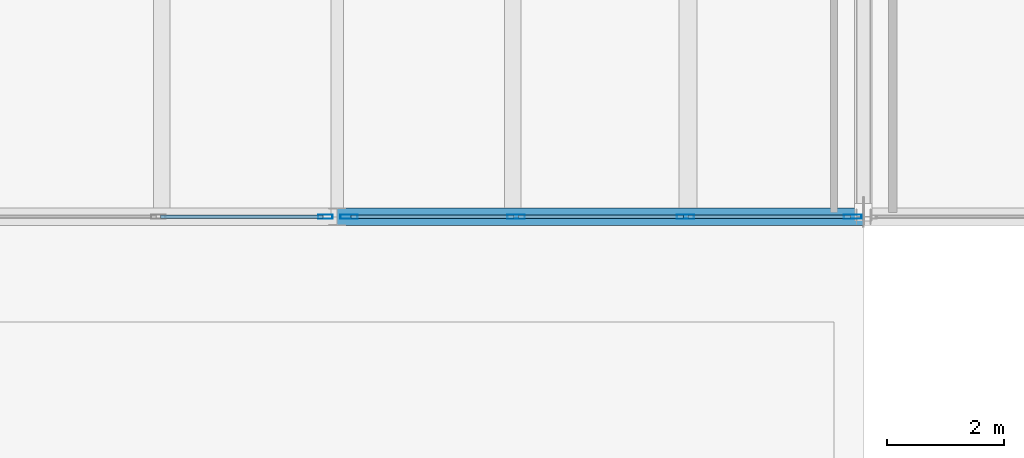
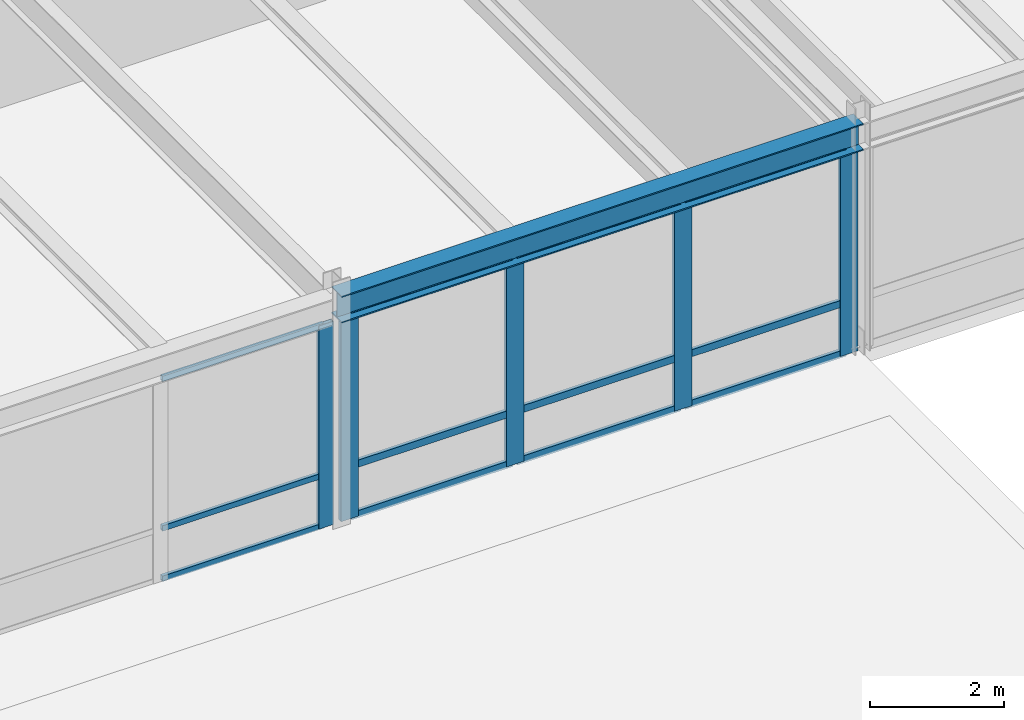
# One storey, part 78 of 142: 17 members, 1 beam, 2 elements without a shape of their own.
"""IFC4 building model written with IfcOpenShell, lengths in metres."""

from ifc_helpers import new_model, si_unit, direction, frame, origin, origin_2d, place, context, subcontext, project, spatial, hollow_rectangle, i_section, extrude, material, layer, layer_set, material_profile, profile_set, type_object, element, aggregate, save


model = new_model("IFC4")

# Units and contexts
model_context = context("Model", 3, precision=1e-05, world=origin(), true_north=direction((0.0, 1.0)))
body_context = subcontext(model_context, "Body", "Model", "MODEL_VIEW")
ifc_project = project(units=[si_unit("LENGTHUNIT", "METRE"), si_unit("AREAUNIT", "SQUARE_METRE"), si_unit("VOLUMEUNIT", "CUBIC_METRE"), si_unit("PLANEANGLEUNIT", "RADIAN"), si_unit("MASSUNIT", "GRAM", prefix="KILO")], contexts=[model_context])

# Site, building, storey
site_placement = place(None, origin())
site = spatial("IfcSite", under=ifc_project, at=site_placement, CompositionType="ELEMENT")
building_placement = place(site_placement, origin())
building = spatial("IfcBuilding", under=site, at=building_placement, Name="Montelvaro Courts of Justice", CompositionType="ELEMENT")
storey_placement = place(building_placement, frame((0.0, 0.0, 14.39990234375)))
storey = spatial("IfcBuildingStorey", under=building, at=storey_placement, Name="L03", CompositionType="ELEMENT", Elevation=14.39990234375)

# Beam
ifc_material_1 = material(Name="Steel S355", Category="steel")
ifc_material_profile_1 = material_profile(ifc_material_1, i_section(OverallWidth=0.300048828125, OverallDepth=0.489990234375, WebThickness=0.011962890625, FlangeThickness=0.02294921875, at=origin_2d()), Name="HEA 500")
ifc_profile_set_1 = profile_set([ifc_material_profile_1], Name="Steel S355")
beam_type = type_object("IfcBeamType", Name="Beam_HEA500", PredefinedType="USERDEFINED", material=ifc_profile_set_1)
beam_placement = place(storey_placement, frame((117.0, 66.0, 3.955078125), z_axis=(1.0, 0.0, 0.0), x_axis=(0.0, 1.0, 0.0)))
element("IfcBeam", 1, at=beam_placement, inside=storey, type_object=beam_type, Name="Beam B-19 L03", ObjectType="GIRDER", PredefinedType="USERDEFINED", context=body_context, shape_type="SweptSolid", body=[
    extrude(i_section(OverallWidth=0.300048828125, OverallDepth=0.489990234375, WebThickness=0.011962890625, FlangeThickness=0.02294921875, at=origin_2d()), origin(), (0.0, 0.0, 1.0), 9.0),
])

# Curtain wall, member
ifc_material_2 = material(Name="Anodised aluminium EN AW-6063", Category="aluminium")
ifc_layer = layer(ifc_material_2, 0.159912109375)
ifc_layer_set = layer_set([ifc_layer], Name="Anodised aluminium EN AW-6063")
curtain_wall_type = type_object("IfcCurtainWallType", Name="CurtainWall_18_868x418", PredefinedType="USERDEFINED", material=ifc_layer_set)
curtain_wall_1_placement = place(storey_placement, origin())
curtain_wall_1 = element("IfcCurtainWall", 2, at=curtain_wall_1_placement, inside=storey, type_object=curtain_wall_type, Name="Curtain Wall CW-18 (L03)", ObjectType="CURTAIN WALL", PredefinedType="USERDEFINED")
ifc_material_profile_2 = material_profile(ifc_material_2, hollow_rectangle(XDim=0.074951171875, YDim=0.25, WallThickness=0.005615234375, at=origin_2d()), Name="ALU-M 75x250")
ifc_profile_set_2 = profile_set([ifc_material_profile_2], Name="Anodised aluminium EN AW-6063")
member_type_1 = type_object("IfcMemberType", Name="CurtainWall_Mullion_75x250", PredefinedType="MULLION", material=ifc_profile_set_2)
member_1_placement = place(storey_placement, frame((116.797607421875, 66.0, 0.0), z_axis=(0.0, 0.0, 1.0), x_axis=(0.0, 1.0, 0.0)))
member_1 = element("IfcMember", 3, at=member_1_placement, type_object=member_type_1, Name="CW-18 mullion 4", PredefinedType="MULLION", context=body_context, shape_type="SweptSolid", body=[
    extrude(hollow_rectangle(XDim=0.074951171875, YDim=0.25, WallThickness=0.005615234375, at=origin_2d()), origin(), (0.0, 0.0, 1.0), 3.705078125),
])

# Curtain wall, members
curtain_wall_2_placement = place(storey_placement, origin())
curtain_wall_2 = element("IfcCurtainWall", 4, at=curtain_wall_2_placement, inside=storey, type_object=curtain_wall_type, Name="Curtain Wall CW-18 (L03)", ObjectType="CURTAIN WALL", PredefinedType="USERDEFINED")
ifc_material_profile_3 = material_profile(ifc_material_2, hollow_rectangle(XDim=0.074951171875, YDim=0.300048828125, WallThickness=0.006103515625, at=origin_2d()), Name="ALU-M 75x300")
ifc_profile_set_3 = profile_set([ifc_material_profile_3], Name="Anodised aluminium EN AW-6063")
member_type_2 = type_object("IfcMemberType", Name="CurtainWall_Mullion_75x300", PredefinedType="MULLION", material=ifc_profile_set_3)
member_2_placement = place(storey_placement, frame((117.202392578125, 66.0, 0.0), z_axis=(0.0, 0.0, 1.0), x_axis=(0.0, 1.0, 0.0)))
member_2 = element("IfcMember", 5, at=member_2_placement, type_object=member_type_2, Name="CW-18 mullion 1", PredefinedType="MULLION", context=body_context, shape_type="SweptSolid", body=[
    extrude(hollow_rectangle(XDim=0.074951171875, YDim=0.300048828125, WallThickness=0.006103515625, at=origin_2d()), origin(), (0.0, 0.0, 1.0), 3.705078125),
])
member_3_placement = place(storey_placement, frame((120.061767578125, 66.0, 0.0), z_axis=(0.0, 0.0, 1.0), x_axis=(0.0, 1.0, 0.0)))
member_3 = element("IfcMember", 6, at=member_3_placement, type_object=member_type_2, Name="CW-18 mullion 2", PredefinedType="MULLION", context=body_context, shape_type="SweptSolid", body=[
    extrude(hollow_rectangle(XDim=0.074951171875, YDim=0.300048828125, WallThickness=0.006103515625, at=origin_2d()), origin(), (0.0, 0.0, 1.0), 3.705078125),
])
member_4_placement = place(storey_placement, frame((122.958251953125, 66.0, 0.0), z_axis=(0.0, 0.0, 1.0), x_axis=(0.0, 1.0, 0.0)))
member_4 = element("IfcMember", 7, at=member_4_placement, type_object=member_type_2, Name="CW-18 mullion 3", PredefinedType="MULLION", context=body_context, shape_type="SweptSolid", body=[
    extrude(hollow_rectangle(XDim=0.074951171875, YDim=0.300048828125, WallThickness=0.006103515625, at=origin_2d()), origin(), (0.0, 0.0, 1.0), 3.705078125),
])
member_5_placement = place(storey_placement, frame((125.8173828125, 66.0, 0.0), z_axis=(0.0, 0.0, 1.0), x_axis=(0.0, 1.0, 0.0)))
member_5 = element("IfcMember", 8, at=member_5_placement, type_object=member_type_2, Name="CW-18 mullion 4", PredefinedType="MULLION", context=body_context, shape_type="SweptSolid", body=[
    extrude(hollow_rectangle(XDim=0.074951171875, YDim=0.300048828125, WallThickness=0.006103515625, at=origin_2d()), origin(), (0.0, 0.0, 1.0), 3.705078125),
])

# Member
ifc_material_profile_4 = material_profile(ifc_material_2, hollow_rectangle(XDim=0.06005859375, YDim=0.10009765625, WallThickness=0.00341796875, at=origin_2d()), Name="ALU-T 60x100")
ifc_profile_set_4 = profile_set([ifc_material_profile_4], Name="Anodised aluminium EN AW-6063")
member_type_3 = type_object("IfcMemberType", Name="CurtainWall_Transom_60x100", PredefinedType="USERDEFINED", material=ifc_profile_set_4)
member_6_placement = place(storey_placement, frame((113.979248046875, 66.0, 0.030029296875), z_axis=(1.0, 0.0, 0.0), x_axis=(0.0, 1.0, 0.0)))
member_6 = element("IfcMember", 9, at=member_6_placement, type_object=member_type_3, Name="CW-18 transom 3.1", ObjectType="TRANSOM", PredefinedType="USERDEFINED", context=body_context, shape_type="SweptSolid", body=[
    extrude(hollow_rectangle(XDim=0.06005859375, YDim=0.10009765625, WallThickness=0.00341796875, at=origin_2d()), origin(), (0.0, 0.0, 1.0), 2.78076171875),
])

member_7_placement = place(storey_placement, frame((113.979248046875, 66.0, 0.9501953125), z_axis=(1.0, 0.0, 0.0), x_axis=(0.0, 1.0, 0.0)))
member_7 = element("IfcMember", 10, at=member_7_placement, type_object=member_type_3, Name="CW-18 transom 3.2", ObjectType="TRANSOM", PredefinedType="USERDEFINED", context=body_context, shape_type="SweptSolid", body=[
    extrude(hollow_rectangle(XDim=0.06005859375, YDim=0.10009765625, WallThickness=0.00341796875, at=origin_2d()), origin(), (0.0, 0.0, 1.0), 2.78076171875),
])

member_8_placement = place(storey_placement, frame((113.979248046875, 66.0, 3.675048828125), z_axis=(1.0, 0.0, 0.0), x_axis=(0.0, 1.0, 0.0)))
member_8 = element("IfcMember", 11, at=member_8_placement, type_object=member_type_3, Name="CW-18 transom 3.3", ObjectType="TRANSOM", PredefinedType="USERDEFINED", context=body_context, shape_type="SweptSolid", body=[
    extrude(hollow_rectangle(XDim=0.06005859375, YDim=0.10009765625, WallThickness=0.00341796875, at=origin_2d()), origin(), (0.0, 0.0, 1.0), 2.78076171875),
])

aggregate(curtain_wall_1, [member_1, member_6, member_7, member_8])

ifc_material_profile_5 = material_profile(ifc_material_2, hollow_rectangle(XDim=0.06005859375, YDim=0.1298828125, WallThickness=0.00390625, at=origin_2d()), Name="ALU-T 60x130")
ifc_profile_set_5 = profile_set([ifc_material_profile_5], Name="Anodised aluminium EN AW-6063")
member_type_4 = type_object("IfcMemberType", Name="CurtainWall_Transom_60x130", PredefinedType="USERDEFINED", material=ifc_profile_set_5)
member_9_placement = place(storey_placement, frame((117.239990234375, 66.0, 0.030029296875), z_axis=(1.0, 0.0, 0.0), x_axis=(0.0, 1.0, 0.0)))
member_9 = element("IfcMember", 12, at=member_9_placement, type_object=member_type_4, Name="CW-18 transom 1.1", ObjectType="TRANSOM", PredefinedType="USERDEFINED", context=body_context, shape_type="SweptSolid", body=[
    extrude(hollow_rectangle(XDim=0.06005859375, YDim=0.1298828125, WallThickness=0.00390625, at=origin_2d()), origin(), (0.0, 0.0, 1.0), 2.7841796875),
])

member_10_placement = place(storey_placement, frame((117.239990234375, 66.0, 0.9501953125), z_axis=(1.0, 0.0, 0.0), x_axis=(0.0, 1.0, 0.0)))
member_10 = element("IfcMember", 13, at=member_10_placement, type_object=member_type_4, Name="CW-18 transom 1.2", ObjectType="TRANSOM", PredefinedType="USERDEFINED", context=body_context, shape_type="SweptSolid", body=[
    extrude(hollow_rectangle(XDim=0.06005859375, YDim=0.1298828125, WallThickness=0.00390625, at=origin_2d()), origin(), (0.0, 0.0, 1.0), 2.7841796875),
])

member_11_placement = place(storey_placement, frame((117.239990234375, 66.0, 3.675048828125), z_axis=(1.0, 0.0, 0.0), x_axis=(0.0, 1.0, 0.0)))
member_11 = element("IfcMember", 14, at=member_11_placement, type_object=member_type_4, Name="CW-18 transom 1.3", ObjectType="TRANSOM", PredefinedType="USERDEFINED", context=body_context, shape_type="SweptSolid", body=[
    extrude(hollow_rectangle(XDim=0.06005859375, YDim=0.1298828125, WallThickness=0.00390625, at=origin_2d()), origin(), (0.0, 0.0, 1.0), 2.7841796875),
])

member_12_placement = place(storey_placement, frame((120.09912109375, 66.0, 0.030029296875), z_axis=(1.0, 0.0, 0.0), x_axis=(0.0, 1.0, 0.0)))
member_12 = element("IfcMember", 15, at=member_12_placement, type_object=member_type_4, Name="CW-18 transom 2.1", ObjectType="TRANSOM", PredefinedType="USERDEFINED", context=body_context, shape_type="SweptSolid", body=[
    extrude(hollow_rectangle(XDim=0.06005859375, YDim=0.1298828125, WallThickness=0.00390625, at=origin_2d()), origin(), (0.0, 0.0, 1.0), 2.82177734375),
])

member_13_placement = place(storey_placement, frame((120.09912109375, 66.0, 0.9501953125), z_axis=(1.0, 0.0, 0.0), x_axis=(0.0, 1.0, 0.0)))
member_13 = element("IfcMember", 16, at=member_13_placement, type_object=member_type_4, Name="CW-18 transom 2.2", ObjectType="TRANSOM", PredefinedType="USERDEFINED", context=body_context, shape_type="SweptSolid", body=[
    extrude(hollow_rectangle(XDim=0.06005859375, YDim=0.1298828125, WallThickness=0.00390625, at=origin_2d()), origin(), (0.0, 0.0, 1.0), 2.82177734375),
])

member_14_placement = place(storey_placement, frame((120.09912109375, 66.0, 3.675048828125), z_axis=(1.0, 0.0, 0.0), x_axis=(0.0, 1.0, 0.0)))
member_14 = element("IfcMember", 17, at=member_14_placement, type_object=member_type_4, Name="CW-18 transom 2.3", ObjectType="TRANSOM", PredefinedType="USERDEFINED", context=body_context, shape_type="SweptSolid", body=[
    extrude(hollow_rectangle(XDim=0.06005859375, YDim=0.1298828125, WallThickness=0.00390625, at=origin_2d()), origin(), (0.0, 0.0, 1.0), 2.82177734375),
])

member_15_placement = place(storey_placement, frame((122.995849609375, 66.0, 0.030029296875), z_axis=(1.0, 0.0, 0.0), x_axis=(0.0, 1.0, 0.0)))
member_15 = element("IfcMember", 18, at=member_15_placement, type_object=member_type_4, Name="CW-18 transom 3.1", ObjectType="TRANSOM", PredefinedType="USERDEFINED", context=body_context, shape_type="SweptSolid", body=[
    extrude(hollow_rectangle(XDim=0.06005859375, YDim=0.1298828125, WallThickness=0.00390625, at=origin_2d()), origin(), (0.0, 0.0, 1.0), 2.7841796875),
])

member_16_placement = place(storey_placement, frame((122.995849609375, 66.0, 0.9501953125), z_axis=(1.0, 0.0, 0.0), x_axis=(0.0, 1.0, 0.0)))
member_16 = element("IfcMember", 19, at=member_16_placement, type_object=member_type_4, Name="CW-18 transom 3.2", ObjectType="TRANSOM", PredefinedType="USERDEFINED", context=body_context, shape_type="SweptSolid", body=[
    extrude(hollow_rectangle(XDim=0.06005859375, YDim=0.1298828125, WallThickness=0.00390625, at=origin_2d()), origin(), (0.0, 0.0, 1.0), 2.7841796875),
])

member_17_placement = place(storey_placement, frame((122.995849609375, 66.0, 3.675048828125), z_axis=(1.0, 0.0, 0.0), x_axis=(0.0, 1.0, 0.0)))
member_17 = element("IfcMember", 20, at=member_17_placement, type_object=member_type_4, Name="CW-18 transom 3.3", ObjectType="TRANSOM", PredefinedType="USERDEFINED", context=body_context, shape_type="SweptSolid", body=[
    extrude(hollow_rectangle(XDim=0.06005859375, YDim=0.1298828125, WallThickness=0.00390625, at=origin_2d()), origin(), (0.0, 0.0, 1.0), 2.7841796875),
])

aggregate(curtain_wall_2, [member_2, member_3, member_4, member_5, member_9, member_10, member_11, member_12, member_13, member_14, member_15, member_16, member_17])

save(model, "model.ifc")
